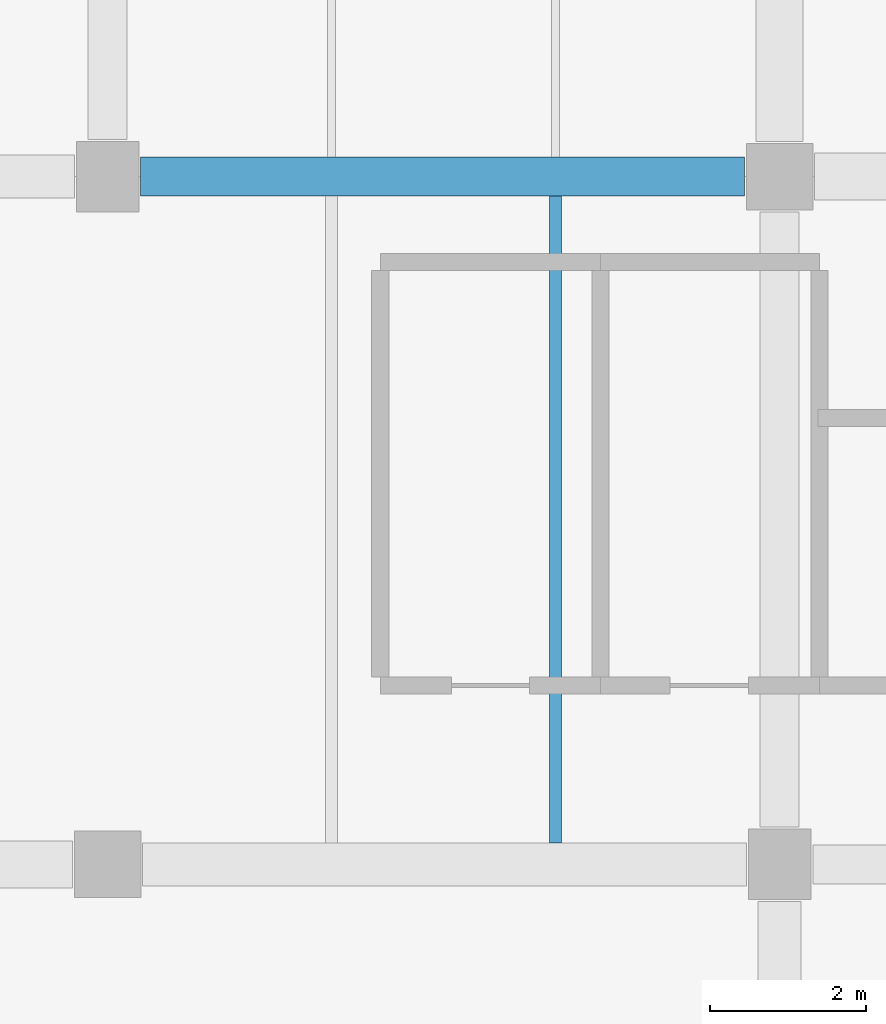
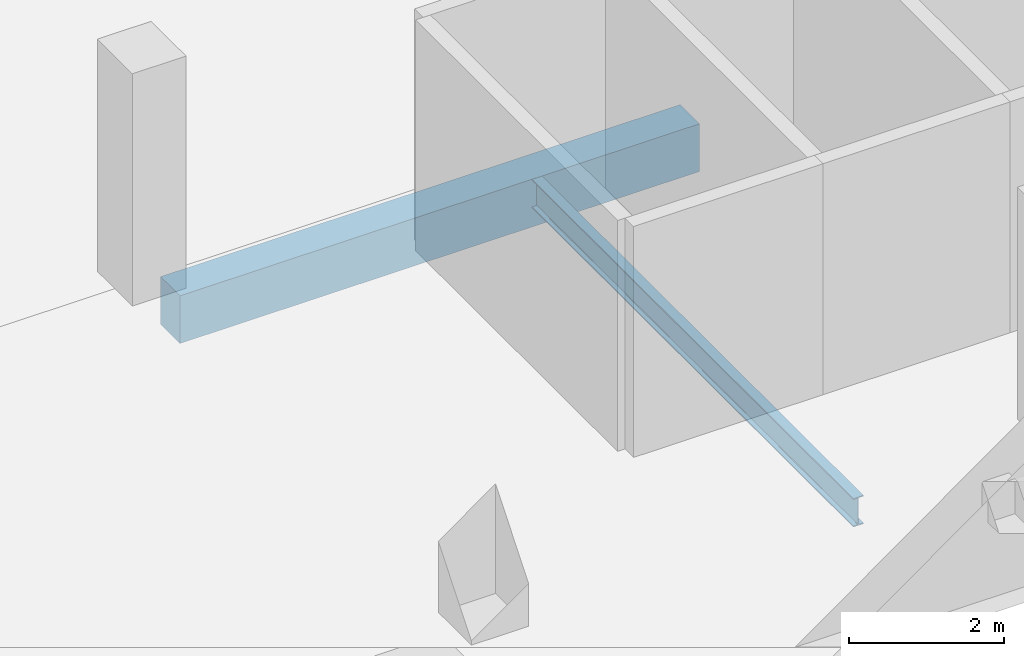
# One storey, part 13 of 80: 2 beams.
"""IFC4 building model written with IfcOpenShell, lengths in metres."""

import ifcopenshell
import ifcopenshell.guid

model = None  # the IFC model being written
_history = None  # IfcOwnerHistory: only IFC2X3 demands one
_inside = {}  # id of a spatial element -> (the spatial element, [elements in it])
_under = {}  # id of a project, library or spatial element -> (it, [spatial elements below it])
_declared = {}  # id of a project -> (the project, [libraries it declares])
_typed = {}  # id of a type object -> (the type object, [elements of that type])
_made_of = {}  # id of a material, layer set ... -> (it, [elements and type objects made of it])


def new_model(schema):
    """Start an empty IFC model of exactly this schema.

    Asked for "IFC4X3", IfcOpenShell would pick the latest addendum, in which some entities
    have other attributes; the version numbers below select the first issue.
    IFC2X3 requires an IfcOwnerHistory on every rooted entity: one is made here for all.
    """
    global model, _history
    if schema == "IFC4X3":
        model = ifcopenshell.file(schema_version=(4, 3, 0, 0))
    else:
        model = ifcopenshell.file(schema=schema)
    _inside.clear()
    _under.clear()
    _declared.clear()
    _typed.clear()
    _made_of.clear()
    _history = None
    if model.schema == "IFC2X3":
        org = make("IfcOrganization", Name="unknown")
        user = make(
            "IfcPersonAndOrganization",
            ThePerson=make("IfcPerson", FamilyName="unknown"),
            TheOrganization=org,
        )
        app = make(
            "IfcApplication",
            ApplicationDeveloper=org,
            Version="unknown",
            ApplicationFullName="unknown",
            ApplicationIdentifier="unknown",
        )
        _history = make(
            "IfcOwnerHistory",
            OwningUser=user,
            OwningApplication=app,
            ChangeAction="ADDED",
            CreationDate=0,
        )
    return model


def make(cls, **values):
    """One entity of the class cls with the attributes given. An attribute that is None is left unset."""
    return model.create_entity(
        cls, **{name: value for name, value in values.items() if value is not None}
    )


def rooted(cls, **values):
    """An entity with a GlobalId (a new one), such as an element, a storey or a relation."""
    return make(cls, GlobalId=ifcopenshell.guid.new(), OwnerHistory=_history, **values)


def si_unit(unit_type, name, prefix=None):
    """IfcSIUnit, for example si_unit("LENGTHUNIT", "METRE", prefix="MILLI")."""
    return make("IfcSIUnit", UnitType=unit_type, Prefix=prefix, Name=name)


def assignment(units):
    """IfcUnitAssignment: the units of a project."""
    return None if units is None else make("IfcUnitAssignment", Units=units)


def point(xyz):
    """IfcCartesianPoint."""
    return None if xyz is None else make("IfcCartesianPoint", Coordinates=xyz)


def direction(xyz):
    """IfcDirection."""
    return None if xyz is None else make("IfcDirection", DirectionRatios=xyz)


def frame(location, z_axis=None, x_axis=None):
    """IfcAxis2Placement3D, a coordinate frame: its origin and axes. An axis left out is left unset."""
    return make(
        "IfcAxis2Placement3D",
        Location=point(location),
        Axis=direction(z_axis),
        RefDirection=direction(x_axis),
    )


def frame_2d(location, x_axis=None):
    """IfcAxis2Placement2D, a coordinate frame in the plane: its origin and x axis."""
    return make(
        "IfcAxis2Placement2D", Location=point(location), RefDirection=direction(x_axis)
    )


def origin():
    """The frame at (0, 0, 0) with its axes left unset."""
    return frame((0.0, 0.0, 0.0))


def origin_2d():
    """The frame at (0, 0) in the plane with its x axis left unset."""
    return frame_2d((0.0, 0.0))


def place(relative_to, where):
    """IfcLocalPlacement: puts the frame where relative to a parent placement (None: the world)."""
    return make(
        "IfcLocalPlacement", PlacementRelTo=relative_to, RelativePlacement=where
    )


def context(
    kind, dimensions, precision=None, world=None, true_north=None, identifier=None
):
    """IfcGeometricRepresentationContext, for example the 3D "Model" context."""
    return make(
        "IfcGeometricRepresentationContext",
        ContextIdentifier=identifier,
        ContextType=kind,
        CoordinateSpaceDimension=dimensions,
        Precision=precision,
        WorldCoordinateSystem=world,
        TrueNorth=true_north,
    )


def subcontext(parent, identifier, kind, view, scale=None):
    """IfcGeometricRepresentationSubContext, for example "Body" below "Model"."""
    return make(
        "IfcGeometricRepresentationSubContext",
        ContextIdentifier=identifier,
        ContextType=kind,
        ParentContext=parent,
        TargetScale=scale,
        TargetView=view,
    )


def project(units=None, contexts=None):
    """IfcProject with its units and contexts."""
    return rooted(
        "IfcProject",
        Name="project",
        RepresentationContexts=contexts,
        UnitsInContext=assignment(units),
    )


def spatial(cls, under=None, at=None, **own):
    """A site, building, storey or space (cls), placed at a placement, below another one or the project."""
    s = rooted(cls, ObjectPlacement=at, **own)
    if under is not None:
        _under.setdefault(under.id(), (under, []))[1].append(s)
    return s


def profile(cls, at=None, kind="AREA", **sizes):
    """A parametric profile (cls). Its sizes go by their IFC names, for example OverallWidth=200.0."""
    return make(cls, ProfileType=kind, Position=at, **sizes)


def rectangle(**sizes):
    """IfcRectangleProfileDef."""
    return profile("IfcRectangleProfileDef", **sizes)


def i_section(**sizes):
    """IfcIShapeProfileDef."""
    return profile("IfcIShapeProfileDef", **sizes)


def extrude(swept, where, along, depth):
    """IfcExtrudedAreaSolid: the profile swept, set in the frame where, extruded along a direction by depth."""
    return make(
        "IfcExtrudedAreaSolid",
        SweptArea=swept,
        Position=where,
        ExtrudedDirection=direction(along),
        Depth=depth,
    )


def shape(context_of_items, identifier, shape_type, items):
    """IfcShapeRepresentation: the items that make up one representation, for example the "Body"."""
    return make(
        "IfcShapeRepresentation",
        ContextOfItems=context_of_items,
        RepresentationIdentifier=identifier,
        RepresentationType=shape_type,
        Items=items,
    )


def material(Name=None, Category=None):
    """IfcMaterial."""
    return make("IfcMaterial", Name=Name, Category=Category)


def material_profile(
    of_material, cross_section, Name=None, Category=None, Priority=None
):
    """IfcMaterialProfile: a cross section and its material."""
    return make(
        "IfcMaterialProfile",
        Name=Name,
        Material=of_material,
        Profile=cross_section,
        Priority=Priority,
        Category=Category,
    )


def profile_set(profiles, Name=None, composite=None):
    """IfcMaterialProfileSet."""
    return make(
        "IfcMaterialProfileSet",
        Name=Name,
        MaterialProfiles=profiles,
        CompositeProfile=composite,
    )


def made_of(thing, what):
    """Note that an element or type object is made of a material, layer set ...; save() writes the relation."""
    if what is not None:
        _made_of.setdefault(what.id(), (what, []))[1].append(thing)
    return thing


def type_object(cls, material=None, **own):
    """A type object (cls), such as IfcWallType, which elements share."""
    return made_of(rooted(cls, **own), material)


def element(
    cls,
    number,
    at=None,
    inside=None,
    cuts=None,
    type_object=None,
    material=None,
    context=None,
    identifier="Body",
    shape_type=None,
    held_by="IfcProductDefinitionShape",
    body=None,
    shapes=None,
    **own,
):
    """One element of the class cls, such as IfcWall. Its Tag is "e" and its number.

    at: its placement. inside: the storey or other place that contains it. cuts: it is an
    opening in that element (IfcRelVoidsElement). A single representation is given by context,
    identifier, shape_type and body (its items); several are given by shapes. held_by: the class
    of the entity that holds the representations. save() writes the other relations.
    """
    e = rooted(cls, Tag="e%d" % number, ObjectPlacement=at, **own)
    if body is not None:
        shapes = [shape(context, identifier, shape_type, body)]
    if shapes is not None:
        e.Representation = make(held_by, Representations=shapes)
    if inside is not None:
        _inside.setdefault(inside.id(), (inside, []))[1].append(e)
    if cuts is not None:
        rooted(
            "IfcRelVoidsElement", RelatingBuildingElement=cuts, RelatedOpeningElement=e
        )
    if type_object is not None:
        _typed.setdefault(type_object.id(), (type_object, []))[1].append(e)
    return made_of(e, material)


def aggregate(whole, parts):
    """IfcRelAggregates: a whole, such as a stair, and the parts it consists of."""
    return rooted("IfcRelAggregates", RelatingObject=whole, RelatedObjects=parts)


def save(model, path):
    """Write the relations noted so far, then the file.

    IfcRelAggregates (storeys below a building ...), IfcRelContainedInSpatialStructure (elements
    in a storey), IfcRelDefinesByType, IfcRelAssociatesMaterial and IfcRelDeclares: one each for
    every whole, place, type object, material and project.
    """
    for whole, parts in _under.values():
        aggregate(whole, parts)
    for where, things in _inside.values():
        rooted(
            "IfcRelContainedInSpatialStructure",
            RelatedElements=things,
            RelatingStructure=where,
        )
    for kind, things in _typed.values():
        rooted("IfcRelDefinesByType", RelatedObjects=things, RelatingType=kind)
    for what, things in _made_of.values():
        rooted("IfcRelAssociatesMaterial", RelatedObjects=things, RelatingMaterial=what)
    for by, libraries in _declared.values():
        rooted("IfcRelDeclares", RelatingContext=by, RelatedDefinitions=libraries)
    model.write(path)


model = new_model("IFC4")

# Units and contexts
model_context = context("Model", 3, precision=1e-05, world=origin(), true_north=direction((0.0, 1.0)))
body_context = subcontext(model_context, "Body", "Model", "MODEL_VIEW")
ifc_project = project(units=[si_unit("LENGTHUNIT", "METRE"), si_unit("AREAUNIT", "SQUARE_METRE"), si_unit("VOLUMEUNIT", "CUBIC_METRE"), si_unit("PLANEANGLEUNIT", "RADIAN"), si_unit("MASSUNIT", "GRAM", prefix="KILO")], contexts=[model_context])

# Site, building, storey
site_placement = place(None, origin())
site = spatial("IfcSite", under=ifc_project, at=site_placement, CompositionType="ELEMENT")
building_placement = place(site_placement, origin())
building = spatial("IfcBuilding", under=site, at=building_placement, Name="Varnakota Cinema and Media Centre", CompositionType="ELEMENT")
storey_placement = place(building_placement, frame((0.0, 0.0, 4.5)))
storey = spatial("IfcBuildingStorey", under=building, at=storey_placement, Name="L01", CompositionType="ELEMENT", Elevation=4.5)

# Beams
ifc_material_1 = material(Name="Concrete M35", Category="concrete")
ifc_material_profile_1 = material_profile(ifc_material_1, rectangle(XDim=0.5, YDim=0.75, at=origin_2d()), Name="RCB 500x750")
ifc_profile_set_1 = profile_set([ifc_material_profile_1], Name="Concrete M35")
beam_type_1 = type_object("IfcBeamType", Name="BM-RC-500x750", PredefinedType="BEAM", material=ifc_profile_set_1)
beam_1_placement = place(storey_placement, frame((9.02490234375, 35.199951171875, -0.625), z_axis=(1.0, 0.0, 0.0), x_axis=(0.0, 1.0, 0.0)))
element("IfcBeam", 1, at=beam_1_placement, inside=storey, type_object=beam_type_1, Name="L01 girder B-C/5", PredefinedType="BEAM", context=body_context, shape_type="SweptSolid", body=[
    extrude(rectangle(XDim=0.5, YDim=0.75, at=origin_2d()), origin(), (0.0, 0.0, 1.0), 7.72509765625),
])
ifc_material_2 = material(Name="Structural steel Grade 350 (E350)", Category="steel")
ifc_material_profile_2 = material_profile(ifc_material_2, i_section(OverallWidth=0.14990234375, OverallDepth=0.449951171875, WebThickness=0.009521484375, FlangeThickness=0.017333984375, FilletRadius=0.014892578125, at=origin_2d()), Name="ISMB 450")
ifc_profile_set_2 = profile_set([ifc_material_profile_2], Name="Structural steel Grade 350 (E350)")
beam_type_2 = type_object("IfcBeamType", Name="BM-ST-ISMB450", PredefinedType="BEAM", material=ifc_profile_set_2)
beam_2_placement = place(storey_placement, frame((14.333251953125, 26.675048828125, -0.47509765625), z_axis=(0.0, 1.0, 0.0), x_axis=(-1.0, 0.0, 0.0)))
element("IfcBeam", 2, at=beam_2_placement, inside=storey, type_object=beam_type_2, Name="L01 steel joist B-C/4-5 #2", PredefinedType="BEAM", context=body_context, shape_type="SweptSolid", body=[
    extrude(i_section(OverallWidth=0.14990234375, OverallDepth=0.449951171875, WebThickness=0.009521484375, FlangeThickness=0.017333984375, FilletRadius=0.014892578125, at=origin_2d()), origin(), (0.0, 0.0, 1.0), 8.27490234375),
])

save(model, "model.ifc")
